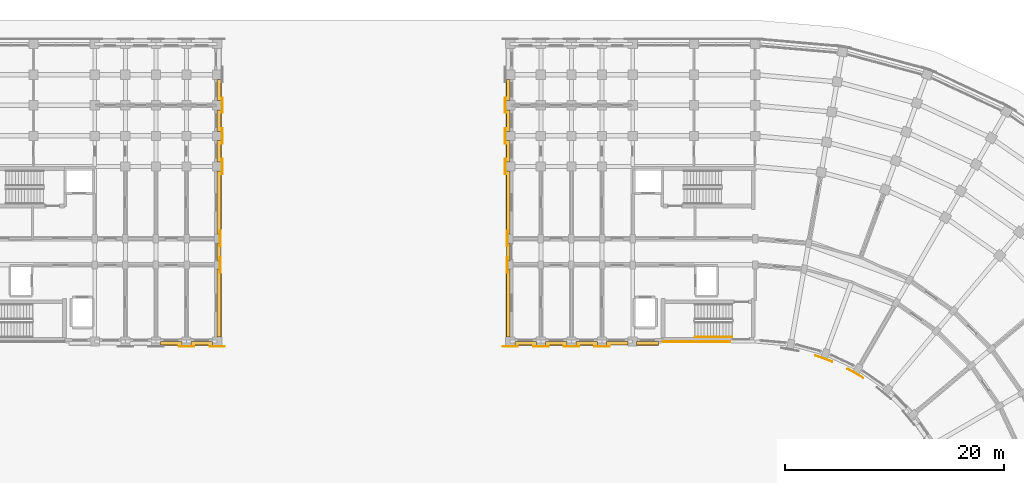
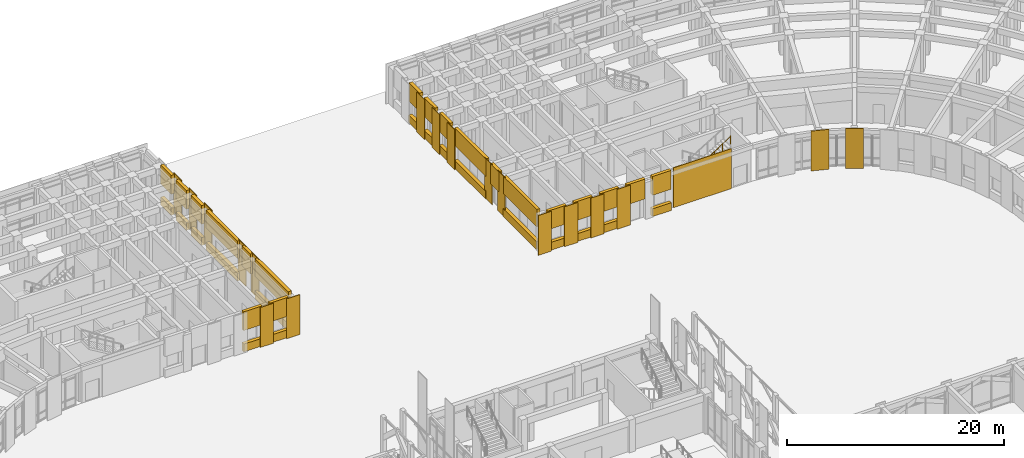
# One storey, part 129 of 135: 54 coverings, 1 railing.
"""IFC4 building model written with IfcOpenShell, lengths in metres."""

from ifc_helpers import new_model, si_unit, direction, frame, origin, origin_2d, place, context, subcontext, project, spatial, polyline, circle, outline, extrude, material, layer, layer_set, type_object, element, save


model = new_model("IFC4")

# Units and contexts
model_context = context("Model", 3, precision=1e-05, world=origin(), true_north=direction((0.0, 1.0)))
body_context = subcontext(model_context, "Body", "Model", "MODEL_VIEW")
ifc_project = project(units=[si_unit("LENGTHUNIT", "METRE"), si_unit("AREAUNIT", "SQUARE_METRE"), si_unit("VOLUMEUNIT", "CUBIC_METRE"), si_unit("PLANEANGLEUNIT", "RADIAN"), si_unit("MASSUNIT", "GRAM", prefix="KILO")], contexts=[model_context])

# Site, building, storey
site_placement = place(None, origin())
site = spatial("IfcSite", under=ifc_project, at=site_placement, CompositionType="ELEMENT")
building_placement = place(site_placement, origin())
building = spatial("IfcBuilding", under=site, at=building_placement, Name="Kiranvali Square Residences", CompositionType="ELEMENT")
storey_placement = place(building_placement, origin())
storey = spatial("IfcBuildingStorey", under=building, at=storey_placement, Name="L00", CompositionType="ELEMENT", Elevation=0.0)

# Coverings
ifc_material_1 = material(Name="Honed Porbandar limestone ashlar facade cladding", Category="masonry")
ifc_layer_1 = layer(ifc_material_1, 0.06494140625)
ifc_layer_set_1 = layer_set([ifc_layer_1], Name="Honed Porbandar limestone ashlar facade cladding")
covering_type_1 = type_object("IfcCoveringType", Name="COV-CLAD-PIER", PredefinedType="CLADDING", material=ifc_layer_set_1)
covering_1_placement = place(storey_placement, frame((0.0, 0.0, 0.0048828125)))
element("IfcCovering", 1, at=covering_1_placement, inside=storey, type_object=covering_type_1, Name="Block B L00 garden stair limestone ashlar cladding", PredefinedType="CLADDING", context=body_context, shape_type="SweptSolid", body=[
    extrude(outline(polyline([(117.5, 106.597900390625), (111.35009765625, 106.597900390625), (111.35009765625, 106.52001953125), (117.5, 106.52001953125), (117.5, 106.597900390625)])), origin(), (0.0, 0.0, 1.0), 4.490234375),
])
ifc_layer_2 = layer(ifc_material_1, 0.050048828125)
ifc_layer_set_2 = layer_set([ifc_layer_2], Name="Honed Porbandar limestone ashlar facade cladding")
covering_type_2 = type_object("IfcCoveringType", Name="COV-CLAD-PIER-IN", PredefinedType="CLADDING", material=ifc_layer_set_2)
covering_2_placement = place(storey_placement, frame((0.0, 0.0, 0.0048828125)))
element("IfcCovering", 2, at=covering_2_placement, inside=storey, type_object=covering_type_2, Name="L00 Classical limestone pilaster casing CLAD-PRA1I-A-L00-U195", PredefinedType="CLADDING", context=body_context, shape_type="SweptSolid", body=[
    extrude(outline(polyline([(67.094970703125, 106.10693359375), (68.5048828125, 106.10693359375), (68.5048828125, 106.174560546875), (67.094970703125, 106.174560546875), (67.094970703125, 106.10693359375)])), origin(), (0.0, 0.0, 1.0), 4.490234375),
])
covering_3_placement = place(storey_placement, frame((0.0, 0.0, 0.0048828125)))
element("IfcCovering", 3, at=covering_3_placement, inside=storey, type_object=covering_type_2, Name="L00 Classical limestone pilaster casing CLAD-PRA1I-A-L00-U224", PredefinedType="CLADDING", context=body_context, shape_type="SweptSolid", body=[
    extrude(outline(polyline([(69.89501953125, 106.10693359375), (71.304931640625, 106.10693359375), (71.304931640625, 106.174560546875), (69.89501953125, 106.174560546875), (69.89501953125, 106.10693359375)])), origin(), (0.0, 0.0, 1.0), 4.490234375),
])
covering_4_placement = place(storey_placement, frame((0.0, 0.0, 0.0048828125)))
element("IfcCovering", 4, at=covering_4_placement, inside=storey, type_object=covering_type_2, Name="L00 Classical garden courtyard pilaster CLAD-PRIN-B-L00-A02", PredefinedType="CLADDING", context=body_context, shape_type="SweptSolid", body=[
    extrude(outline(polyline([(125.2861328125, 105.28515625), (126.836669921875, 104.720703125), (126.859619140625, 104.7841796875), (125.30908203125, 105.3486328125), (125.2861328125, 105.28515625)])), origin(), (0.0, 0.0, 1.0), 4.490234375),
])
covering_5_placement = place(storey_placement, frame((0.0, 0.0, 0.0048828125)))
element("IfcCovering", 5, at=covering_5_placement, inside=storey, type_object=covering_type_2, Name="L00 Classical garden courtyard pilaster CLAD-PRIN-B-L00-A03", PredefinedType="CLADDING", context=body_context, shape_type="SweptSolid", body=[
    extrude(outline(polyline([(128.239013671875, 104.06689453125), (129.66796875, 103.241943359375), (129.70166015625, 103.30029296875), (128.272705078125, 104.125244140625), (128.239013671875, 104.06689453125)])), origin(), (0.0, 0.0, 1.0), 4.490234375),
])
covering_6_placement = place(storey_placement, frame((0.0, 0.0, 0.0048828125)))
element("IfcCovering", 6, at=covering_6_placement, inside=storey, type_object=covering_type_2, Name="L00 Classical limestone pilaster casing CLAD-PRA1I-B-L00-U140", PredefinedType="CLADDING", context=body_context, shape_type="SweptSolid", body=[
    extrude(outline(polyline([(106.5048828125, 106.174560546875), (105.094970703125, 106.174560546875), (105.094970703125, 106.10693359375), (106.5048828125, 106.10693359375), (106.5048828125, 106.174560546875)])), origin(), (0.0, 0.0, 1.0), 4.490234375),
])
covering_7_placement = place(storey_placement, frame((0.0, 0.0, 0.0048828125)))
element("IfcCovering", 7, at=covering_7_placement, inside=storey, type_object=covering_type_2, Name="L00 Classical limestone pilaster casing CLAD-PRA1I-B-L00-U167", PredefinedType="CLADDING", context=body_context, shape_type="SweptSolid", body=[
    extrude(outline(polyline([(103.705078125, 106.174560546875), (102.294921875, 106.174560546875), (102.294921875, 106.10693359375), (103.705078125, 106.10693359375), (103.705078125, 106.174560546875)])), origin(), (0.0, 0.0, 1.0), 4.490234375),
])
covering_8_placement = place(storey_placement, frame((0.0, 0.0, 0.0048828125)))
element("IfcCovering", 8, at=covering_8_placement, inside=storey, type_object=covering_type_2, Name="L00 Classical limestone pilaster casing CLAD-PRA1I-B-L00-U195", PredefinedType="CLADDING", context=body_context, shape_type="SweptSolid", body=[
    extrude(outline(polyline([(100.905029296875, 106.174560546875), (99.4951171875, 106.174560546875), (99.4951171875, 106.10693359375), (100.905029296875, 106.10693359375), (100.905029296875, 106.174560546875)])), origin(), (0.0, 0.0, 1.0), 4.490234375),
])
covering_9_placement = place(storey_placement, frame((0.0, 0.0, 0.0048828125)))
element("IfcCovering", 9, at=covering_9_placement, inside=storey, type_object=covering_type_2, Name="L00 Classical limestone pilaster casing CLAD-PRA1I-B-L00-U224", PredefinedType="CLADDING", context=body_context, shape_type="SweptSolid", body=[
    extrude(outline(polyline([(98.10498046875, 106.174560546875), (96.695068359375, 106.174560546875), (96.695068359375, 106.10693359375), (98.10498046875, 106.10693359375), (98.10498046875, 106.174560546875)])), origin(), (0.0, 0.0, 1.0), 4.490234375),
])
ifc_layer_3 = layer(ifc_material_1, 0.054931640625)
ifc_layer_set_3 = layer_set([ifc_layer_3], Name="Honed Porbandar limestone ashlar facade cladding")
covering_type_3 = type_object("IfcCoveringType", Name="COV-CLAD-PIER-UP", PredefinedType="CLADDING", material=ifc_layer_set_3)
covering_10_placement = place(storey_placement, frame((0.0, 0.0, 0.0048828125)))
element("IfcCovering", 10, at=covering_10_placement, inside=storey, type_object=covering_type_3, Name="L00 Classical limestone pilaster casing CLAD-PRA1E-A-L00-R258", PredefinedType="CLADDING", context=body_context, shape_type="SweptSolid", body=[
    extrude(outline(polyline([(70.91796875, 112.89501953125), (70.91796875, 114.304931640625), (70.8505859375, 114.304931640625), (70.8505859375, 112.89501953125), (70.91796875, 112.89501953125)])), origin(), (0.0, 0.0, 1.0), 4.490234375),
])
covering_11_placement = place(storey_placement, frame((0.0, 0.0, 0.0048828125)))
element("IfcCovering", 11, at=covering_11_placement, inside=storey, type_object=covering_type_3, Name="L00 Classical limestone pilaster casing CLAD-PRA1E-A-L00-R282", PredefinedType="CLADDING", context=body_context, shape_type="SweptSolid", body=[
    extrude(outline(polyline([(70.91796875, 115.294921875), (70.91796875, 116.705078125), (70.8505859375, 116.705078125), (70.8505859375, 115.294921875), (70.91796875, 115.294921875)])), origin(), (0.0, 0.0, 1.0), 4.490234375),
])
covering_12_placement = place(storey_placement, frame((0.0, 0.0, 0.0048828125)))
element("IfcCovering", 12, at=covering_12_placement, inside=storey, type_object=covering_type_3, Name="L00 Classical limestone pilaster casing CLAD-PRA1E-A-L00-R348", PredefinedType="CLADDING", context=body_context, shape_type="SweptSolid", body=[
    extrude(outline(polyline([(71.093017578125, 121.89501953125), (71.093017578125, 123.304931640625), (71.025390625, 123.304931640625), (71.025390625, 121.89501953125), (71.093017578125, 121.89501953125)])), origin(), (0.0, 0.0, 1.0), 4.490234375),
])
covering_13_placement = place(storey_placement, frame((0.0, 0.0, 0.0048828125)))
element("IfcCovering", 13, at=covering_13_placement, inside=storey, type_object=covering_type_3, Name="L00 Classical limestone pilaster casing CLAD-PRA1E-A-L00-R376", PredefinedType="CLADDING", context=body_context, shape_type="SweptSolid", body=[
    extrude(outline(polyline([(71.093017578125, 124.695068359375), (71.093017578125, 126.10498046875), (71.025390625, 126.10498046875), (71.025390625, 124.695068359375), (71.093017578125, 124.695068359375)])), origin(), (0.0, 0.0, 1.0), 4.490234375),
])
covering_14_placement = place(storey_placement, frame((0.0, 0.0, 0.0048828125)))
element("IfcCovering", 14, at=covering_14_placement, inside=storey, type_object=covering_type_3, Name="L00 Classical limestone pilaster casing CLAD-PRA1E-A-L00-R404", PredefinedType="CLADDING", context=body_context, shape_type="SweptSolid", body=[
    extrude(outline(polyline([(71.093017578125, 127.4951171875), (71.093017578125, 128.905029296875), (71.025390625, 128.905029296875), (71.025390625, 127.4951171875), (71.093017578125, 127.4951171875)])), origin(), (0.0, 0.0, 1.0), 4.490234375),
])
covering_15_placement = place(storey_placement, frame((0.0, 0.0, 0.0048828125)))
element("IfcCovering", 15, at=covering_15_placement, inside=storey, type_object=covering_type_3, Name="L00 Classical limestone pilaster casing CLAD-PRA1E-B-L00-R258", PredefinedType="CLADDING", context=body_context, shape_type="SweptSolid", body=[
    extrude(outline(polyline([(97.1494140625, 112.89501953125), (97.1494140625, 114.304931640625), (97.08203125, 114.304931640625), (97.08203125, 112.89501953125), (97.1494140625, 112.89501953125)])), origin(), (0.0, 0.0, 1.0), 4.490234375),
])
covering_16_placement = place(storey_placement, frame((0.0, 0.0, 0.0048828125)))
element("IfcCovering", 16, at=covering_16_placement, inside=storey, type_object=covering_type_3, Name="L00 Classical limestone pilaster casing CLAD-PRA1E-B-L00-R282", PredefinedType="CLADDING", context=body_context, shape_type="SweptSolid", body=[
    extrude(outline(polyline([(97.1494140625, 115.294921875), (97.1494140625, 116.705078125), (97.08203125, 116.705078125), (97.08203125, 115.294921875), (97.1494140625, 115.294921875)])), origin(), (0.0, 0.0, 1.0), 4.490234375),
])
covering_17_placement = place(storey_placement, frame((0.0, 0.0, 0.0048828125)))
element("IfcCovering", 17, at=covering_17_placement, inside=storey, type_object=covering_type_3, Name="L00 Classical limestone pilaster casing CLAD-PRA1E-B-L00-R348", PredefinedType="CLADDING", context=body_context, shape_type="SweptSolid", body=[
    extrude(outline(polyline([(96.974609375, 121.89501953125), (96.974609375, 123.304931640625), (96.906982421875, 123.304931640625), (96.906982421875, 121.89501953125), (96.974609375, 121.89501953125)])), origin(), (0.0, 0.0, 1.0), 4.490234375),
])
covering_18_placement = place(storey_placement, frame((0.0, 0.0, 0.0048828125)))
element("IfcCovering", 18, at=covering_18_placement, inside=storey, type_object=covering_type_3, Name="L00 Classical limestone pilaster casing CLAD-PRA1E-B-L00-R376", PredefinedType="CLADDING", context=body_context, shape_type="SweptSolid", body=[
    extrude(outline(polyline([(96.974609375, 124.695068359375), (96.974609375, 126.10498046875), (96.906982421875, 126.10498046875), (96.906982421875, 124.695068359375), (96.974609375, 124.695068359375)])), origin(), (0.0, 0.0, 1.0), 4.490234375),
])
covering_19_placement = place(storey_placement, frame((0.0, 0.0, 0.0048828125)))
element("IfcCovering", 19, at=covering_19_placement, inside=storey, type_object=covering_type_3, Name="L00 Classical limestone pilaster casing CLAD-PRA1E-B-L00-R404", PredefinedType="CLADDING", context=body_context, shape_type="SweptSolid", body=[
    extrude(outline(polyline([(96.974609375, 127.4951171875), (96.974609375, 128.905029296875), (96.906982421875, 128.905029296875), (96.906982421875, 127.4951171875), (96.974609375, 127.4951171875)])), origin(), (0.0, 0.0, 1.0), 4.490234375),
])
ifc_layer_4 = layer(ifc_material_1, 0.360107421875)
ifc_layer_set_4 = layer_set([ifc_layer_4], Name="Honed Porbandar limestone ashlar facade cladding")
covering_type_4 = type_object("IfcCoveringType", Name="COV-CLAD-WALL", PredefinedType="CLADDING", material=ifc_layer_set_4)
covering_20_placement = place(storey_placement, frame((0.0, 0.0, 2.3798828125)))
element("IfcCovering", 20, at=covering_20_placement, inside=storey, type_object=covering_type_4, Name="L00 light limestone spandrel lintel A-L00-A1I-2", PredefinedType="CLADDING", context=body_context, shape_type="SweptSolid", body=[
    extrude(outline(polyline([(65.419921875, 106.280029296875), (67.3798828125, 106.280029296875), (67.3798828125, 106.599609375), (65.419921875, 106.599609375), (65.419921875, 106.280029296875)])), origin(), (0.0, 0.0, 1.0), 2.115234375),
])
covering_21_placement = place(storey_placement, frame((0.0, 0.0, 0.0048828125)))
element("IfcCovering", 21, at=covering_21_placement, inside=storey, type_object=covering_type_4, Name="L00 limestone window sill apron A-L00-A1I-2", PredefinedType="CLADDING", context=body_context, shape_type="SweptSolid", body=[
    extrude(outline(polyline([(65.419921875, 106.25), (67.3798828125, 106.25), (67.3798828125, 106.599609375), (65.419921875, 106.599609375), (65.419921875, 106.25)])), origin(), (0.0, 0.0, 1.0), 0.875),
])
covering_22_placement = place(storey_placement, frame((0.0, 0.0, 2.3798828125)))
element("IfcCovering", 22, at=covering_22_placement, inside=storey, type_object=covering_type_4, Name="L00 light limestone spandrel lintel A-L00-A1I-3", PredefinedType="CLADDING", context=body_context, shape_type="SweptSolid", body=[
    extrude(outline(polyline([(68.219970703125, 106.280029296875), (70.179931640625, 106.280029296875), (70.179931640625, 106.599609375), (68.219970703125, 106.599609375), (68.219970703125, 106.280029296875)])), origin(), (0.0, 0.0, 1.0), 2.115234375),
])
covering_23_placement = place(storey_placement, frame((0.0, 0.0, 0.0048828125)))
element("IfcCovering", 23, at=covering_23_placement, inside=storey, type_object=covering_type_4, Name="L00 limestone window sill apron A-L00-A1I-3", PredefinedType="CLADDING", context=body_context, shape_type="SweptSolid", body=[
    extrude(outline(polyline([(68.219970703125, 106.25), (70.179931640625, 106.25), (70.179931640625, 106.599609375), (68.219970703125, 106.599609375), (68.219970703125, 106.25)])), origin(), (0.0, 0.0, 1.0), 0.875),
])
covering_24_placement = place(storey_placement, frame((0.0, 0.0, 2.530029296875)))
element("IfcCovering", 24, at=covering_24_placement, inside=storey, type_object=covering_type_4, Name="L00 light limestone spandrel lintel A-L00-A1END-0", PredefinedType="CLADDING", context=body_context, shape_type="SweptSolid", body=[
    extrude(outline(polyline([(70.93994140625, 107.02001953125), (70.93994140625, 113.179931640625), (70.6005859375, 113.179931640625), (70.6005859375, 107.02001953125), (70.93994140625, 107.02001953125)])), origin(), (0.0, 0.0, 1.0), 1.965087890625),
])
covering_25_placement = place(storey_placement, frame((0.0, 0.0, 0.0048828125)))
element("IfcCovering", 25, at=covering_25_placement, inside=storey, type_object=covering_type_4, Name="L00 limestone window sill apron A-L00-A1END-0", PredefinedType="CLADDING", context=body_context, shape_type="SweptSolid", body=[
    extrude(outline(polyline([(70.969970703125, 107.02001953125), (70.969970703125, 113.179931640625), (70.6005859375, 113.179931640625), (70.6005859375, 107.02001953125), (70.969970703125, 107.02001953125)])), origin(), (0.0, 0.0, 1.0), 0.875),
])
covering_26_placement = place(storey_placement, frame((0.0, 0.0, 2.25)))
element("IfcCovering", 26, at=covering_26_placement, inside=storey, type_object=covering_type_4, Name="L00 light limestone spandrel lintel A-L00-A1END-1", PredefinedType="CLADDING", context=body_context, shape_type="SweptSolid", body=[
    extrude(outline(polyline([(70.93994140625, 114.02001953125), (70.93994140625, 115.580078125), (70.6005859375, 115.580078125), (70.6005859375, 114.02001953125), (70.93994140625, 114.02001953125)])), origin(), (0.0, 0.0, 1.0), 2.2451171875),
])
covering_27_placement = place(storey_placement, frame((0.0, 0.0, 2.530029296875)))
element("IfcCovering", 27, at=covering_27_placement, inside=storey, type_object=covering_type_4, Name="L00 light limestone spandrel lintel A-L00-A1END-2", PredefinedType="CLADDING", context=body_context, shape_type="SweptSolid", body=[
    extrude(outline(polyline([(70.93994140625, 116.419921875), (70.93994140625, 122.179931640625), (70.6005859375, 122.179931640625), (70.6005859375, 116.419921875), (70.93994140625, 116.419921875)])), origin(), (0.0, 0.0, 1.0), 1.965087890625),
])
covering_28_placement = place(storey_placement, frame((0.0, 0.0, 0.0048828125)))
element("IfcCovering", 28, at=covering_28_placement, inside=storey, type_object=covering_type_4, Name="L00 limestone window sill apron A-L00-A1END-2", PredefinedType="CLADDING", context=body_context, shape_type="SweptSolid", body=[
    extrude(outline(polyline([(70.969970703125, 116.419921875), (70.969970703125, 122.179931640625), (70.6005859375, 122.179931640625), (70.6005859375, 116.419921875), (70.969970703125, 116.419921875)])), origin(), (0.0, 0.0, 1.0), 0.875),
])
covering_29_placement = place(storey_placement, frame((0.0, 0.0, 2.3798828125)))
element("IfcCovering", 29, at=covering_29_placement, inside=storey, type_object=covering_type_4, Name="L00 light limestone spandrel lintel A-L00-A1END-3", PredefinedType="CLADDING", context=body_context, shape_type="SweptSolid", body=[
    extrude(outline(polyline([(70.93994140625, 123.02001953125), (70.93994140625, 124.97998046875), (70.6005859375, 124.97998046875), (70.6005859375, 123.02001953125), (70.93994140625, 123.02001953125)])), origin(), (0.0, 0.0, 1.0), 2.115234375),
])
covering_30_placement = place(storey_placement, frame((0.0, 0.0, 0.0048828125)))
element("IfcCovering", 30, at=covering_30_placement, inside=storey, type_object=covering_type_4, Name="L00 limestone window sill apron A-L00-A1END-3", PredefinedType="CLADDING", context=body_context, shape_type="SweptSolid", body=[
    extrude(outline(polyline([(70.969970703125, 123.02001953125), (70.969970703125, 124.97998046875), (70.6005859375, 124.97998046875), (70.6005859375, 123.02001953125), (70.969970703125, 123.02001953125)])), origin(), (0.0, 0.0, 1.0), 0.875),
])
covering_31_placement = place(storey_placement, frame((0.0, 0.0, 2.3798828125)))
element("IfcCovering", 31, at=covering_31_placement, inside=storey, type_object=covering_type_4, Name="L00 light limestone spandrel lintel A-L00-A1END-4", PredefinedType="CLADDING", context=body_context, shape_type="SweptSolid", body=[
    extrude(outline(polyline([(70.93994140625, 125.820068359375), (70.93994140625, 127.780029296875), (70.6005859375, 127.780029296875), (70.6005859375, 125.820068359375), (70.93994140625, 125.820068359375)])), origin(), (0.0, 0.0, 1.0), 2.115234375),
])
covering_32_placement = place(storey_placement, frame((0.0, 0.0, 0.0048828125)))
element("IfcCovering", 32, at=covering_32_placement, inside=storey, type_object=covering_type_4, Name="L00 limestone window sill apron A-L00-A1END-4", PredefinedType="CLADDING", context=body_context, shape_type="SweptSolid", body=[
    extrude(outline(polyline([(70.969970703125, 125.820068359375), (70.969970703125, 127.780029296875), (70.6005859375, 127.780029296875), (70.6005859375, 125.820068359375), (70.969970703125, 125.820068359375)])), origin(), (0.0, 0.0, 1.0), 0.875),
])
covering_33_placement = place(storey_placement, frame((0.0, 0.0, 2.3798828125)))
element("IfcCovering", 33, at=covering_33_placement, inside=storey, type_object=covering_type_4, Name="L00 light limestone spandrel lintel A-L00-A1END-5", PredefinedType="CLADDING", context=body_context, shape_type="SweptSolid", body=[
    extrude(outline(polyline([(70.93994140625, 128.6201171875), (70.93994140625, 130.580078125), (70.6005859375, 130.580078125), (70.6005859375, 128.6201171875), (70.93994140625, 128.6201171875)])), origin(), (0.0, 0.0, 1.0), 2.115234375),
])
covering_34_placement = place(storey_placement, frame((0.0, 0.0, 0.0048828125)))
element("IfcCovering", 34, at=covering_34_placement, inside=storey, type_object=covering_type_4, Name="L00 limestone window sill apron A-L00-A1END-5", PredefinedType="CLADDING", context=body_context, shape_type="SweptSolid", body=[
    extrude(outline(polyline([(70.969970703125, 128.6201171875), (70.969970703125, 130.580078125), (70.6005859375, 130.580078125), (70.6005859375, 128.6201171875), (70.969970703125, 128.6201171875)])), origin(), (0.0, 0.0, 1.0), 0.875),
])
covering_35_placement = place(storey_placement, frame((0.0, 0.0, 2.3798828125)))
element("IfcCovering", 35, at=covering_35_placement, inside=storey, type_object=covering_type_4, Name="L00 light limestone spandrel lintel B-L00-A1IN-0", PredefinedType="CLADDING", context=body_context, shape_type="SweptSolid", body=[
    extrude(outline(polyline([(110.949951171875, 106.599609375), (108.949951171875, 106.599609375), (108.949951171875, 106.280029296875), (110.949951171875, 106.280029296875), (110.949951171875, 106.599609375)])), origin(), (0.0, 0.0, 1.0), 2.115234375),
])
covering_36_placement = place(storey_placement, frame((0.0, 0.0, 0.0048828125)))
element("IfcCovering", 36, at=covering_36_placement, inside=storey, type_object=covering_type_4, Name="L00 limestone window sill apron B-L00-A1IN-0", PredefinedType="CLADDING", context=body_context, shape_type="SweptSolid", body=[
    extrude(outline(polyline([(110.949951171875, 106.599609375), (108.949951171875, 106.599609375), (108.949951171875, 106.25), (110.949951171875, 106.25), (110.949951171875, 106.599609375)])), origin(), (0.0, 0.0, 1.0), 0.875),
])
covering_37_placement = place(storey_placement, frame((0.0, 0.0, 2.25)))
element("IfcCovering", 37, at=covering_37_placement, inside=storey, type_object=covering_type_4, Name="L00 light limestone spandrel lintel B-L00-A1I-0", PredefinedType="CLADDING", context=body_context, shape_type="SweptSolid", body=[
    extrude(outline(polyline([(108.179931640625, 106.599609375), (106.219970703125, 106.599609375), (106.219970703125, 106.280029296875), (108.179931640625, 106.280029296875), (108.179931640625, 106.599609375)])), origin(), (0.0, 0.0, 1.0), 2.2451171875),
])
covering_38_placement = place(storey_placement, frame((0.0, 0.0, 2.3798828125)))
element("IfcCovering", 38, at=covering_38_placement, inside=storey, type_object=covering_type_4, Name="L00 light limestone spandrel lintel B-L00-A1I-1", PredefinedType="CLADDING", context=body_context, shape_type="SweptSolid", body=[
    extrude(outline(polyline([(105.3798828125, 106.599609375), (103.419921875, 106.599609375), (103.419921875, 106.280029296875), (105.3798828125, 106.280029296875), (105.3798828125, 106.599609375)])), origin(), (0.0, 0.0, 1.0), 2.115234375),
])
covering_39_placement = place(storey_placement, frame((0.0, 0.0, 0.0048828125)))
element("IfcCovering", 39, at=covering_39_placement, inside=storey, type_object=covering_type_4, Name="L00 limestone window sill apron B-L00-A1I-1", PredefinedType="CLADDING", context=body_context, shape_type="SweptSolid", body=[
    extrude(outline(polyline([(105.3798828125, 106.599609375), (103.419921875, 106.599609375), (103.419921875, 106.25), (105.3798828125, 106.25), (105.3798828125, 106.599609375)])), origin(), (0.0, 0.0, 1.0), 0.875),
])
covering_40_placement = place(storey_placement, frame((0.0, 0.0, 2.3798828125)))
element("IfcCovering", 40, at=covering_40_placement, inside=storey, type_object=covering_type_4, Name="L00 light limestone spandrel lintel B-L00-A1I-2", PredefinedType="CLADDING", context=body_context, shape_type="SweptSolid", body=[
    extrude(outline(polyline([(102.580078125, 106.599609375), (100.6201171875, 106.599609375), (100.6201171875, 106.280029296875), (102.580078125, 106.280029296875), (102.580078125, 106.599609375)])), origin(), (0.0, 0.0, 1.0), 2.115234375),
])
covering_41_placement = place(storey_placement, frame((0.0, 0.0, 0.0048828125)))
element("IfcCovering", 41, at=covering_41_placement, inside=storey, type_object=covering_type_4, Name="L00 limestone window sill apron B-L00-A1I-2", PredefinedType="CLADDING", context=body_context, shape_type="SweptSolid", body=[
    extrude(outline(polyline([(102.580078125, 106.599609375), (100.6201171875, 106.599609375), (100.6201171875, 106.25), (102.580078125, 106.25), (102.580078125, 106.599609375)])), origin(), (0.0, 0.0, 1.0), 0.875),
])
covering_42_placement = place(storey_placement, frame((0.0, 0.0, 2.3798828125)))
element("IfcCovering", 42, at=covering_42_placement, inside=storey, type_object=covering_type_4, Name="L00 light limestone spandrel lintel B-L00-A1I-3", PredefinedType="CLADDING", context=body_context, shape_type="SweptSolid", body=[
    extrude(outline(polyline([(99.780029296875, 106.599609375), (97.820068359375, 106.599609375), (97.820068359375, 106.280029296875), (99.780029296875, 106.280029296875), (99.780029296875, 106.599609375)])), origin(), (0.0, 0.0, 1.0), 2.115234375),
])
covering_43_placement = place(storey_placement, frame((0.0, 0.0, 0.0048828125)))
element("IfcCovering", 43, at=covering_43_placement, inside=storey, type_object=covering_type_4, Name="L00 limestone window sill apron B-L00-A1I-3", PredefinedType="CLADDING", context=body_context, shape_type="SweptSolid", body=[
    extrude(outline(polyline([(99.780029296875, 106.599609375), (97.820068359375, 106.599609375), (97.820068359375, 106.25), (99.780029296875, 106.25), (99.780029296875, 106.599609375)])), origin(), (0.0, 0.0, 1.0), 0.875),
])
covering_44_placement = place(storey_placement, frame((0.0, 0.0, 2.530029296875)))
element("IfcCovering", 44, at=covering_44_placement, inside=storey, type_object=covering_type_4, Name="L00 light limestone spandrel lintel B-L00-A1END-0", PredefinedType="CLADDING", context=body_context, shape_type="SweptSolid", body=[
    extrude(outline(polyline([(97.3994140625, 107.02001953125), (97.3994140625, 113.179931640625), (97.06005859375, 113.179931640625), (97.06005859375, 107.02001953125), (97.3994140625, 107.02001953125)])), origin(), (0.0, 0.0, 1.0), 1.965087890625),
])
covering_45_placement = place(storey_placement, frame((0.0, 0.0, 0.0048828125)))
element("IfcCovering", 45, at=covering_45_placement, inside=storey, type_object=covering_type_4, Name="L00 limestone window sill apron B-L00-A1END-0", PredefinedType="CLADDING", context=body_context, shape_type="SweptSolid", body=[
    extrude(outline(polyline([(97.3994140625, 107.02001953125), (97.3994140625, 113.179931640625), (97.030029296875, 113.179931640625), (97.030029296875, 107.02001953125), (97.3994140625, 107.02001953125)])), origin(), (0.0, 0.0, 1.0), 0.875),
])
covering_46_placement = place(storey_placement, frame((0.0, 0.0, 2.25)))
element("IfcCovering", 46, at=covering_46_placement, inside=storey, type_object=covering_type_4, Name="L00 light limestone spandrel lintel B-L00-A1END-1", PredefinedType="CLADDING", context=body_context, shape_type="SweptSolid", body=[
    extrude(outline(polyline([(97.3994140625, 114.02001953125), (97.3994140625, 115.580078125), (97.06005859375, 115.580078125), (97.06005859375, 114.02001953125), (97.3994140625, 114.02001953125)])), origin(), (0.0, 0.0, 1.0), 2.2451171875),
])
covering_47_placement = place(storey_placement, frame((0.0, 0.0, 2.530029296875)))
element("IfcCovering", 47, at=covering_47_placement, inside=storey, type_object=covering_type_4, Name="L00 light limestone spandrel lintel B-L00-A1END-2", PredefinedType="CLADDING", context=body_context, shape_type="SweptSolid", body=[
    extrude(outline(polyline([(97.3994140625, 116.419921875), (97.3994140625, 122.179931640625), (97.06005859375, 122.179931640625), (97.06005859375, 116.419921875), (97.3994140625, 116.419921875)])), origin(), (0.0, 0.0, 1.0), 1.965087890625),
])
covering_48_placement = place(storey_placement, frame((0.0, 0.0, 0.0048828125)))
element("IfcCovering", 48, at=covering_48_placement, inside=storey, type_object=covering_type_4, Name="L00 limestone window sill apron B-L00-A1END-2", PredefinedType="CLADDING", context=body_context, shape_type="SweptSolid", body=[
    extrude(outline(polyline([(97.3994140625, 116.419921875), (97.3994140625, 122.179931640625), (97.030029296875, 122.179931640625), (97.030029296875, 116.419921875), (97.3994140625, 116.419921875)])), origin(), (0.0, 0.0, 1.0), 0.875),
])
covering_49_placement = place(storey_placement, frame((0.0, 0.0, 2.3798828125)))
element("IfcCovering", 49, at=covering_49_placement, inside=storey, type_object=covering_type_4, Name="L00 light limestone spandrel lintel B-L00-A1END-3", PredefinedType="CLADDING", context=body_context, shape_type="SweptSolid", body=[
    extrude(outline(polyline([(97.3994140625, 123.02001953125), (97.3994140625, 124.97998046875), (97.06005859375, 124.97998046875), (97.06005859375, 123.02001953125), (97.3994140625, 123.02001953125)])), origin(), (0.0, 0.0, 1.0), 2.115234375),
])
covering_50_placement = place(storey_placement, frame((0.0, 0.0, 0.0048828125)))
element("IfcCovering", 50, at=covering_50_placement, inside=storey, type_object=covering_type_4, Name="L00 limestone window sill apron B-L00-A1END-3", PredefinedType="CLADDING", context=body_context, shape_type="SweptSolid", body=[
    extrude(outline(polyline([(97.3994140625, 123.02001953125), (97.3994140625, 124.97998046875), (97.030029296875, 124.97998046875), (97.030029296875, 123.02001953125), (97.3994140625, 123.02001953125)])), origin(), (0.0, 0.0, 1.0), 0.875),
])
covering_51_placement = place(storey_placement, frame((0.0, 0.0, 2.3798828125)))
element("IfcCovering", 51, at=covering_51_placement, inside=storey, type_object=covering_type_4, Name="L00 light limestone spandrel lintel B-L00-A1END-4", PredefinedType="CLADDING", context=body_context, shape_type="SweptSolid", body=[
    extrude(outline(polyline([(97.3994140625, 125.820068359375), (97.3994140625, 127.780029296875), (97.06005859375, 127.780029296875), (97.06005859375, 125.820068359375), (97.3994140625, 125.820068359375)])), origin(), (0.0, 0.0, 1.0), 2.115234375),
])
covering_52_placement = place(storey_placement, frame((0.0, 0.0, 0.0048828125)))
element("IfcCovering", 52, at=covering_52_placement, inside=storey, type_object=covering_type_4, Name="L00 limestone window sill apron B-L00-A1END-4", PredefinedType="CLADDING", context=body_context, shape_type="SweptSolid", body=[
    extrude(outline(polyline([(97.3994140625, 125.820068359375), (97.3994140625, 127.780029296875), (97.030029296875, 127.780029296875), (97.030029296875, 125.820068359375), (97.3994140625, 125.820068359375)])), origin(), (0.0, 0.0, 1.0), 0.875),
])
covering_53_placement = place(storey_placement, frame((0.0, 0.0, 2.3798828125)))
element("IfcCovering", 53, at=covering_53_placement, inside=storey, type_object=covering_type_4, Name="L00 light limestone spandrel lintel B-L00-A1END-5", PredefinedType="CLADDING", context=body_context, shape_type="SweptSolid", body=[
    extrude(outline(polyline([(97.3994140625, 128.6201171875), (97.3994140625, 130.580078125), (97.06005859375, 130.580078125), (97.06005859375, 128.6201171875), (97.3994140625, 128.6201171875)])), origin(), (0.0, 0.0, 1.0), 2.115234375),
])
covering_54_placement = place(storey_placement, frame((0.0, 0.0, 0.0048828125)))
element("IfcCovering", 54, at=covering_54_placement, inside=storey, type_object=covering_type_4, Name="L00 limestone window sill apron B-L00-A1END-5", PredefinedType="CLADDING", context=body_context, shape_type="SweptSolid", body=[
    extrude(outline(polyline([(97.3994140625, 128.6201171875), (97.3994140625, 130.580078125), (97.030029296875, 130.580078125), (97.030029296875, 128.6201171875), (97.3994140625, 128.6201171875)])), origin(), (0.0, 0.0, 1.0), 0.875),
])

# Railing
ifc_material_2 = material(Name="Brushed stainless steel tubular handrail", Category="steel")
railing_type = type_object("IfcRailingType", Name="RL-HANDRAIL-900", PredefinedType="HANDRAIL", material=ifc_material_2)
railing_placement = place(storey_placement, frame((114.280029296875, 107.0, 2.423095703125)))
element("IfcRailing", 55, at=railing_placement, inside=storey, type_object=railing_type, Name="L00 ST-B2 stair handrail 2", PredefinedType="HANDRAIL", context=body_context, shape_type="SweptSolid", body=[
    extrude(circle(Radius=0.02392578125, at=origin_2d()), frame((0.0, 0.0, 0.8759765625), z_axis=(0.835411317272, 0.0, 0.549625264133), x_axis=(0.0, 1.0, 0.0)), (0.0, 0.0, 1.0), 4.09375),
    extrude(circle(Radius=0.02099609375, at=origin_2d()), origin(), (0.0, 0.0, 1.0), 0.851806640625),
    extrude(circle(Radius=0.02099609375, at=origin_2d()), frame((0.85498046875, 0.0, 0.5625)), (0.0, 0.0, 1.0), 0.851806640625),
    extrude(circle(Radius=0.02099609375, at=origin_2d()), frame((1.7099609375, 0.0, 1.125)), (0.0, 0.0, 1.0), 0.851806640625),
    extrude(circle(Radius=0.02099609375, at=origin_2d()), frame((2.56494140625, 0.0, 1.6875)), (0.0, 0.0, 1.0), 0.851806640625),
    extrude(circle(Radius=0.02099609375, at=origin_2d()), frame((3.419921875, 0.0, 2.25)), (0.0, 0.0, 1.0), 0.851806640625),
])

save(model, "model.ifc")
